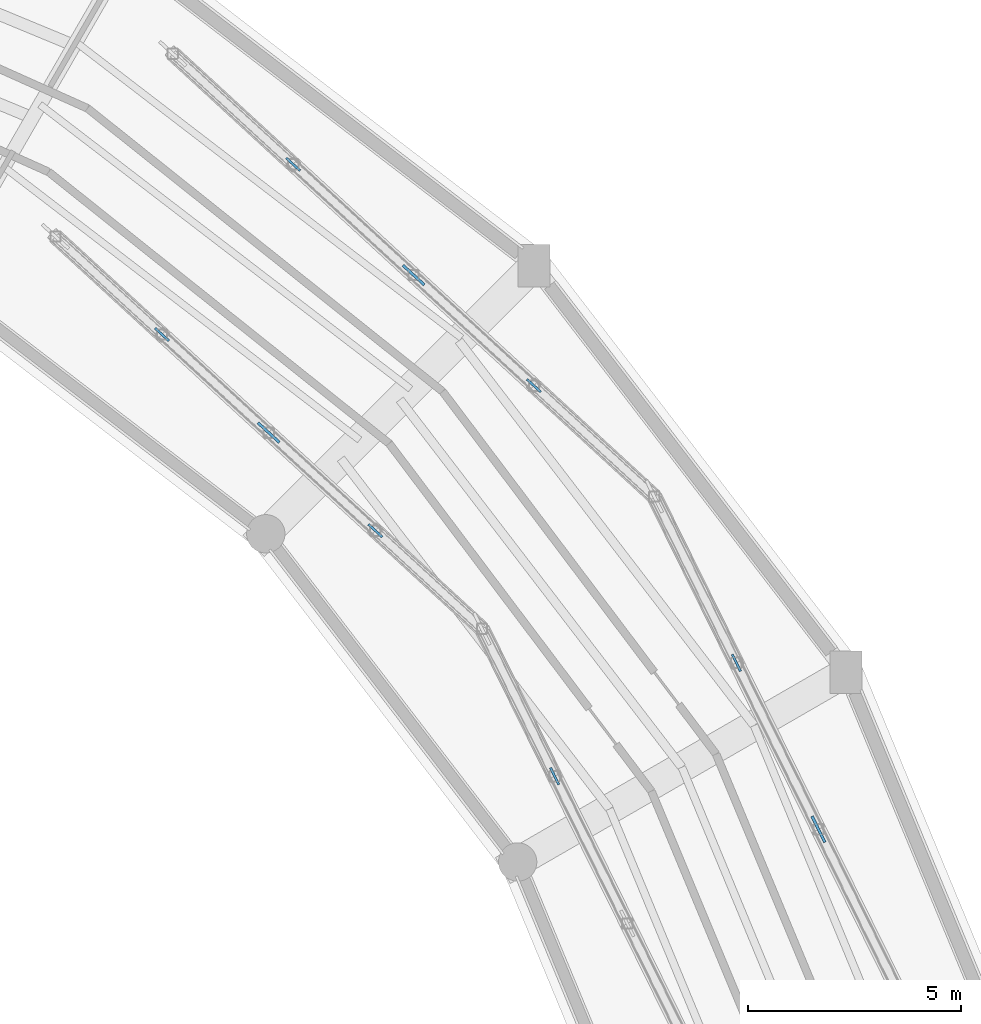
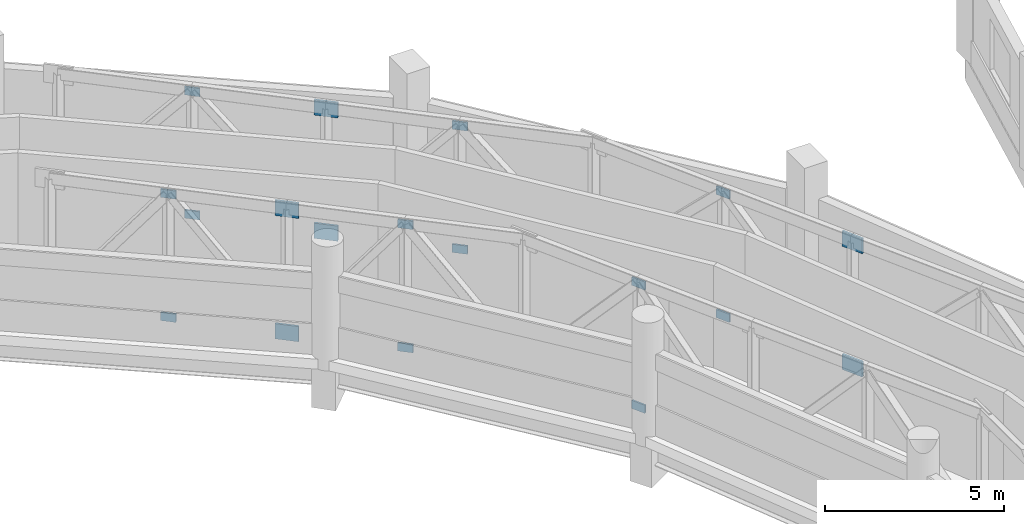
# One storey, part 99 of 121: 18 plates.
"""IFC4 building model written with IfcOpenShell, lengths in metres."""

from ifc_helpers import new_model, si_unit, direction, frame, origin, origin_2d, place, context, subcontext, project, spatial, rectangle, extrude, material, layer, layer_set, type_object, element, save


model = new_model("IFC4")

# Units and contexts
model_context = context("Model", 3, precision=1e-05, world=origin(), true_north=direction((0.0, 1.0)))
body_context = subcontext(model_context, "Body", "Model", "MODEL_VIEW")
ifc_project = project(units=[si_unit("LENGTHUNIT", "METRE"), si_unit("AREAUNIT", "SQUARE_METRE"), si_unit("VOLUMEUNIT", "CUBIC_METRE"), si_unit("PLANEANGLEUNIT", "RADIAN"), si_unit("MASSUNIT", "GRAM", prefix="KILO")], contexts=[model_context])

# Site, building, storey
site_placement = place(None, origin())
site = spatial("IfcSite", under=ifc_project, at=site_placement, CompositionType="ELEMENT")
building_placement = place(site_placement, origin())
building = spatial("IfcBuilding", under=site, at=building_placement, Name="Vespera Passage Community Centre", CompositionType="ELEMENT")
storey_placement = place(building_placement, frame((0.0, 0.0, 8.699951171875)))
storey = spatial("IfcBuildingStorey", under=building, at=storey_placement, Name="L02", CompositionType="ELEMENT", Elevation=8.699951171875)

# Plates
ifc_material_1 = material(Name="Steel ASTM A572 Grade 50", Category="steel")
ifc_layer_1 = layer(ifc_material_1, 0.054931640625)
ifc_layer_set_1 = layer_set([ifc_layer_1], Name="Steel ASTM A572 Grade 50")
plate_type_1 = type_object("IfcPlateType", Name="PL-CAP-55", PredefinedType="SHEET", material=ifc_layer_set_1)
for number, where, z_axis, x_axis, name in (
    (1, (115.349609375, 88.77490234375, -0.93017578125), (0.0, 0.0, 1.0), (-0.442288690219, 0.896872741533, 0.0), "Truss TR6O Gusset Plate B4"),
    (2, (115.349609375, 88.77490234375, 3.2802734375), (0.0, 0.0, 1.0), (-0.442288690219, 0.896872741533, 0.0), "Truss TR6O Gusset Plate T4"),
    (3, (111.08349609375, 86.116455078125, -0.93017578125), (0.0, 0.0, 1.0), (-0.442288690219, 0.896872741533, 0.0), "Truss TR6I Gusset Plate B4"),
    (4, (111.08349609375, 86.116455078125, 3.2802734375), (0.0, 0.0, 1.0), (-0.442288690219, 0.896872741533, 0.0), "Truss TR6I Gusset Plate T4"),
    (5, (110.597900390625, 95.279296875, -0.93017578125), (0.0, 0.0, 1.0), (-0.73609708712, 0.676875969683, 0.0), "Truss TR7O Gusset Plate B2"),
    (6, (110.597900390625, 95.279296875, 3.2802734375), (0.0, 0.0, 1.0), (-0.73609708712, 0.676875969683, 0.0), "Truss TR7O Gusset Plate T2"),
    (7, (104.947021484375, 100.475341796875, -0.93017578125), (0.0, 0.0, 1.0), (-0.73609708712, 0.676875969683, 0.0), "Truss TR7O Gusset Plate B4"),
    (8, (104.947021484375, 100.475341796875, 3.2802734375), (0.0, 0.0, 1.0), (-0.73609708712, 0.676875969683, 0.0), "Truss TR7O Gusset Plate T4"),
    (9, (106.87451171875, 91.877685546875, -0.93017578125), (0.0, 0.0, 1.0), (-0.73609708712, 0.676875969683, 0.0), "Truss TR7I Gusset Plate B2"),
    (10, (106.87451171875, 91.877685546875, 3.2802734375), (0.0, 0.0, 1.0), (-0.73609708712, 0.676875969683, 0.0), "Truss TR7I Gusset Plate T2"),
    (11, (101.869140625, 96.48046875, -0.93017578125), (0.0, 0.0, 1.0), (-0.73609708712, 0.676875969683, 0.0), "Truss TR7I Gusset Plate B4"),
    (12, (101.869140625, 96.48046875, 3.2802734375), (0.0, 0.0, 1.0), (-0.73609708712, 0.676875969683, 0.0), "Truss TR7I Gusset Plate T4"),
):
    element("IfcPlate", number, at=place(storey_placement, frame(where, z_axis=z_axis, x_axis=x_axis)), inside=storey, type_object=plate_type_1, Name=name, PredefinedType="SHEET", context=body_context, shape_type="SweptSolid", body=[
        extrude(rectangle(XDim=0.43994140625, YDim=0.054931640625, at=origin_2d()), origin(), (0.0, 0.0, 1.0), 0.280029296875),
    ])
ifc_material_2 = material(Name="Steel ASTM A572 Grade 50", Category="steel")
ifc_layer_2 = layer(ifc_material_2, 0.06494140625)
ifc_layer_set_2 = layer_set([ifc_layer_2], Name="Steel ASTM A572 Grade 50")
plate_type_2 = type_object("IfcPlateType", Name="PL-GUS-65", PredefinedType="SHEET", material=ifc_layer_set_2)
for number, where, z_axis, x_axis, name in (
    (13, (117.27587890625, 84.868896484375, -1.050048828125), (0.0, 0.0, 1.0), (-0.442288690219, 0.896872741533, 0.0), "Truss TR6O Gusset Plate B3"),
    (14, (117.27587890625, 84.868896484375, 3.16015625), (0.0, 0.0, 1.0), (-0.442288690219, 0.896872741533, 0.0), "Truss TR6O Gusset Plate T3"),
    (15, (107.7724609375, 97.87744140625, -1.050048828125), (0.0, 0.0, 1.0), (-0.73609708712, 0.676875969683, 0.0), "Truss TR7O Gusset Plate B3"),
    (16, (107.7724609375, 97.87744140625, 3.16015625), (0.0, 0.0, 1.0), (-0.73609708712, 0.676875969683, 0.0), "Truss TR7O Gusset Plate T3"),
    (17, (104.371826171875, 94.17919921875, -1.050048828125), (0.0, 0.0, 1.0), (-0.73609708712, 0.676875969683, 0.0), "Truss TR7I Gusset Plate B3"),
    (18, (104.371826171875, 94.17919921875, 3.16015625), (0.0, 0.0, 1.0), (-0.73609708712, 0.676875969683, 0.0), "Truss TR7I Gusset Plate T3"),
):
    element("IfcPlate", number, at=place(storey_placement, frame(where, z_axis=z_axis, x_axis=x_axis)), inside=storey, type_object=plate_type_2, Name=name, PredefinedType="SHEET", context=body_context, shape_type="SweptSolid", body=[
        extrude(rectangle(XDim=0.679931640625, YDim=0.06494140625, at=origin_2d()), origin(), (0.0, 0.0, 1.0), 0.52001953125),
    ])

save(model, "model.ifc")
